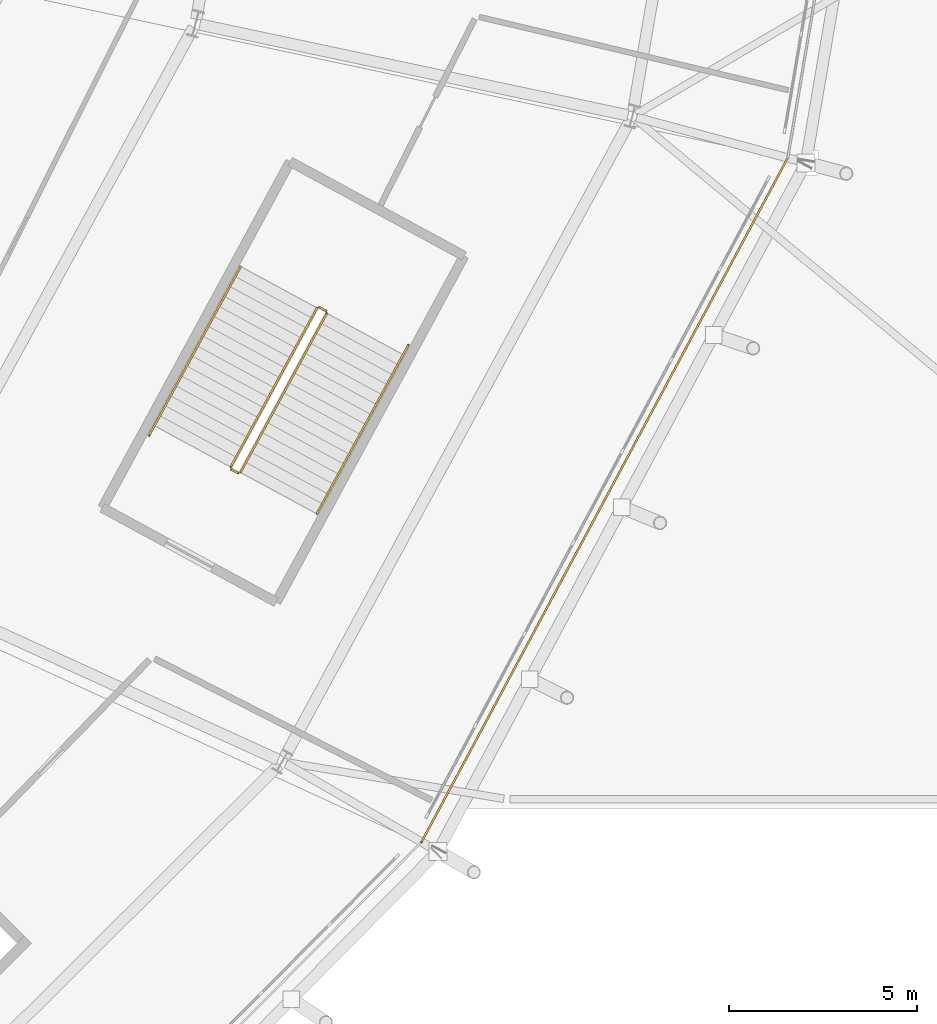
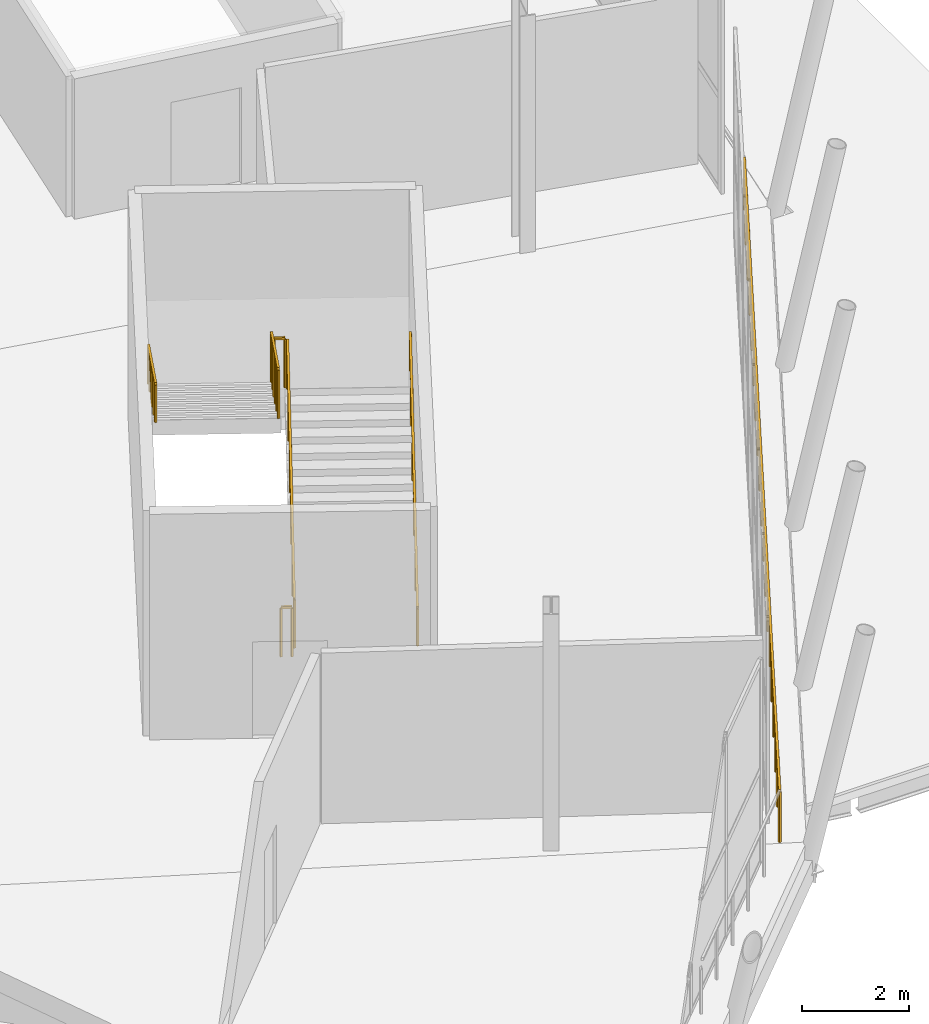
# One storey, part 119 of 126: 7 railings.
"""IFC4 building model written with IfcOpenShell, lengths in metres."""

from ifc_helpers import new_model, si_unit, direction, frame, origin, origin_2d, place, context, subcontext, project, spatial, rectangle, extrude, material, type_object, element, save


model = new_model("IFC4")

# Units and contexts
model_context = context("Model", 3, precision=1e-05, world=origin(), true_north=direction((0.0, 1.0)))
body_context = subcontext(model_context, "Body", "Model", "MODEL_VIEW")
ifc_project = project(units=[si_unit("LENGTHUNIT", "METRE"), si_unit("AREAUNIT", "SQUARE_METRE"), si_unit("VOLUMEUNIT", "CUBIC_METRE"), si_unit("PLANEANGLEUNIT", "RADIAN"), si_unit("MASSUNIT", "GRAM", prefix="KILO")], contexts=[model_context])

# Site, building, storey
site_placement = place(None, origin())
site = spatial("IfcSite", under=ifc_project, at=site_placement, CompositionType="ELEMENT")
building_placement = place(site_placement, origin())
building = spatial("IfcBuilding", under=site, at=building_placement, Name="Zlatoyarsky Gate Stadium", CompositionType="ELEMENT")
storey_placement = place(building_placement, frame((0.0, 0.0, 20.800048828125)))
storey = spatial("IfcBuildingStorey", under=building, at=storey_placement, Name="L04", CompositionType="ELEMENT", Elevation=20.800048828125)

# Railings
ifc_material_1 = material(Name="Powder-coated steel tubular guardrail", Category="steel")
railing_type_1 = type_object("IfcRailingType", Name="CONCOURSE SLAB EDGE GUARDRAIL 1200", PredefinedType="GUARDRAIL", material=ifc_material_1)
railing_1_placement = place(storey_placement, frame((195.23779296875, 42.365234375, 0.0)))
element("IfcRailing", 1, at=railing_1_placement, inside=storey, type_object=railing_type_1, Name="L04 outer slab edge guardrail 22", PredefinedType="GUARDRAIL", context=body_context, shape_type="SweptSolid", body=[
    extrude(rectangle(XDim=0.048095703125, YDim=0.048095703125, at=origin_2d()), frame((0.0, 0.0, 1.17578125), z_axis=(0.471925587959, 0.881638383596, 0.0), x_axis=(-0.881638383596, 0.471925587959, 0.0)), (0.0, 0.0, 1.0), 20.5908203125),
    extrude(rectangle(XDim=0.0419921875, YDim=0.0419921875, at=origin_2d()), origin(), (0.0, 0.0, 1.0), 1.15185546875),
    extrude(rectangle(XDim=0.0419921875, YDim=0.0419921875, at=origin_2d()), frame((0.539794921875, 1.008544921875, 0.0)), (0.0, 0.0, 1.0), 1.15185546875),
    extrude(rectangle(XDim=0.0419921875, YDim=0.0419921875, at=origin_2d()), frame((1.07958984375, 2.01708984375, 0.0)), (0.0, 0.0, 1.0), 1.15185546875),
    extrude(rectangle(XDim=0.0419921875, YDim=0.0419921875, at=origin_2d()), frame((1.61962890625, 3.025634765625, 0.0)), (0.0, 0.0, 1.0), 1.15185546875),
    extrude(rectangle(XDim=0.0419921875, YDim=0.0419921875, at=origin_2d()), frame((2.159423828125, 4.0341796875, 0.0)), (0.0, 0.0, 1.0), 1.15185546875),
    extrude(rectangle(XDim=0.0419921875, YDim=0.0419921875, at=origin_2d()), frame((2.69921875, 5.042724609375, 0.0)), (0.0, 0.0, 1.0), 1.15185546875),
    extrude(rectangle(XDim=0.0419921875, YDim=0.0419921875, at=origin_2d()), frame((3.239013671875, 6.05126953125, 0.0)), (0.0, 0.0, 1.0), 1.15185546875),
    extrude(rectangle(XDim=0.0419921875, YDim=0.0419921875, at=origin_2d()), frame((3.779052734375, 7.059814453125, 0.0)), (0.0, 0.0, 1.0), 1.15185546875),
    extrude(rectangle(XDim=0.0419921875, YDim=0.0419921875, at=origin_2d()), frame((4.31884765625, 8.068359375, 0.0)), (0.0, 0.0, 1.0), 1.15185546875),
    extrude(rectangle(XDim=0.0419921875, YDim=0.0419921875, at=origin_2d()), frame((4.858642578125, 9.07666015625, 0.0)), (0.0, 0.0, 1.0), 1.15185546875),
    extrude(rectangle(XDim=0.0419921875, YDim=0.0419921875, at=origin_2d()), frame((5.3984375, 10.085205078125, 0.0)), (0.0, 0.0, 1.0), 1.15185546875),
    extrude(rectangle(XDim=0.0419921875, YDim=0.0419921875, at=origin_2d()), frame((5.938232421875, 11.09375, 0.0)), (0.0, 0.0, 1.0), 1.15185546875),
    extrude(rectangle(XDim=0.0419921875, YDim=0.0419921875, at=origin_2d()), frame((6.478271484375, 12.102294921875, 0.0)), (0.0, 0.0, 1.0), 1.15185546875),
    extrude(rectangle(XDim=0.0419921875, YDim=0.0419921875, at=origin_2d()), frame((7.01806640625, 13.11083984375, 0.0)), (0.0, 0.0, 1.0), 1.15185546875),
    extrude(rectangle(XDim=0.0419921875, YDim=0.0419921875, at=origin_2d()), frame((7.557861328125, 14.119384765625, 0.0)), (0.0, 0.0, 1.0), 1.15185546875),
    extrude(rectangle(XDim=0.0419921875, YDim=0.0419921875, at=origin_2d()), frame((8.09765625, 15.1279296875, 0.0)), (0.0, 0.0, 1.0), 1.15185546875),
    extrude(rectangle(XDim=0.0419921875, YDim=0.0419921875, at=origin_2d()), frame((8.6376953125, 16.136474609375, 0.0)), (0.0, 0.0, 1.0), 1.15185546875),
    extrude(rectangle(XDim=0.0419921875, YDim=0.0419921875, at=origin_2d()), frame((9.177490234375, 17.14501953125, 0.0)), (0.0, 0.0, 1.0), 1.15185546875),
    extrude(rectangle(XDim=0.0419921875, YDim=0.0419921875, at=origin_2d()), frame((9.71728515625, 18.153564453125, 0.0)), (0.0, 0.0, 1.0), 1.15185546875),
])
ifc_material_2 = material(Name="Powder-coated steel stair guardrail", Category="steel")
railing_type_2 = type_object("IfcRailingType", Name="PAINTED STEEL STAIR WELL GUARDRAIL 1150", PredefinedType="GUARDRAIL", material=ifc_material_2)
railing_2_placement = place(storey_placement, frame((190.437255859375, 52.175048828125, 0.15869140625)))
element("IfcRailing", 2, at=railing_2_placement, inside=storey, type_object=railing_type_2, Name="ST-12 L04 stair guard 1", PredefinedType="GUARDRAIL", context=body_context, shape_type="SweptSolid", body=[
    extrude(rectangle(XDim=0.048095703125, YDim=0.048095703125, at=origin_2d()), frame((0.0, 0.0, 1.1259765625), z_axis=(0.421466855594, 0.776809804983, 0.467901930448), x_axis=(-0.878962478599, 0.4768909322, 0.0)), (0.0, 0.0, 1.0), 5.43115234375),
    extrude(rectangle(XDim=0.0419921875, YDim=0.0419921875, at=origin_2d()), origin(), (0.0, 0.0, 1.0), 1.101806640625),
    extrude(rectangle(XDim=0.0419921875, YDim=0.0419921875, at=origin_2d()), frame((0.457763671875, 0.84375, 0.50830078125)), (0.0, 0.0, 1.0), 1.101806640625),
    extrude(rectangle(XDim=0.0419921875, YDim=0.0419921875, at=origin_2d()), frame((0.91552734375, 1.6875, 1.0166015625)), (0.0, 0.0, 1.0), 1.101806640625),
    extrude(rectangle(XDim=0.0419921875, YDim=0.0419921875, at=origin_2d()), frame((1.37353515625, 2.531494140625, 1.524658203125)), (0.0, 0.0, 1.0), 1.101806640625),
    extrude(rectangle(XDim=0.0419921875, YDim=0.0419921875, at=origin_2d()), frame((1.831298828125, 3.375244140625, 2.032958984375)), (0.0, 0.0, 1.0), 1.101806640625),
    extrude(rectangle(XDim=0.0419921875, YDim=0.0419921875, at=origin_2d()), frame((2.2890625, 4.218994140625, 2.541259765625)), (0.0, 0.0, 1.0), 1.101806640625),
])
railing_3_placement = place(storey_placement, frame((192.706298828125, 56.461669921875, 2.699951171875)))
element("IfcRailing", 3, at=railing_3_placement, inside=storey, type_object=railing_type_2, Name="ST-12 L04 stair guard 2", PredefinedType="GUARDRAIL", context=body_context, shape_type="SweptSolid", body=[
    extrude(rectangle(XDim=0.048095703125, YDim=0.048095703125, at=origin_2d()), frame((0.0, 0.0, 1.1259765625), z_axis=(-0.878780312785, 0.477226530971, 0.0), x_axis=(-0.477226530971, -0.878780312785, 0.0)), (0.0, 0.0, 1.0), 0.199951171875),
    extrude(rectangle(XDim=0.0419921875, YDim=0.0419921875, at=origin_2d()), origin(), (0.0, 0.0, 1.0), 1.101806640625),
    extrude(rectangle(XDim=0.0419921875, YDim=0.0419921875, at=origin_2d()), frame((-0.17578125, 0.095458984375, 0.0)), (0.0, 0.0, 1.0), 1.101806640625),
])
railing_4_placement = place(storey_placement, frame((192.462646484375, 56.537109375, 2.85888671875)))
element("IfcRailing", 4, at=railing_4_placement, inside=storey, type_object=railing_type_2, Name="ST-12 L04 stair guard 3", PredefinedType="GUARDRAIL", context=body_context, shape_type="SweptSolid", body=[
    extrude(rectangle(XDim=0.048095703125, YDim=0.048095703125, at=origin_2d()), frame((0.0, 0.0, 1.1259765625), z_axis=(-0.421475720149, -0.776826143334, 0.467866819039), x_axis=(0.878962478599, -0.4768909322, 0.0)), (0.0, 0.0, 1.0), 5.43115234375),
    extrude(rectangle(XDim=0.0419921875, YDim=0.0419921875, at=origin_2d()), origin(), (0.0, 0.0, 1.0), 1.101806640625),
    extrude(rectangle(XDim=0.0419921875, YDim=0.0419921875, at=origin_2d()), frame((-0.457763671875, -0.84375, 0.50830078125)), (0.0, 0.0, 1.0), 1.101806640625),
    extrude(rectangle(XDim=0.0419921875, YDim=0.0419921875, at=origin_2d()), frame((-0.91552734375, -1.6875, 1.016357421875)), (0.0, 0.0, 1.0), 1.101806640625),
    extrude(rectangle(XDim=0.0419921875, YDim=0.0419921875, at=origin_2d()), frame((-1.37353515625, -2.531494140625, 1.524658203125)), (0.0, 0.0, 1.0), 1.101806640625),
    extrude(rectangle(XDim=0.0419921875, YDim=0.0419921875, at=origin_2d()), frame((-1.831298828125, -3.375244140625, 2.03271484375)), (0.0, 0.0, 1.0), 1.101806640625),
    extrude(rectangle(XDim=0.0419921875, YDim=0.0419921875, at=origin_2d()), frame((-2.2890625, -4.218994140625, 2.541015625)), (0.0, 0.0, 1.0), 1.101806640625),
])
railing_5_placement = place(storey_placement, frame((190.36962890625, 52.15478515625, 0.0)))
element("IfcRailing", 5, at=railing_5_placement, inside=storey, type_object=railing_type_2, Name="ST-12 L04 stair guard 4", PredefinedType="GUARDRAIL", context=body_context, shape_type="SweptSolid", body=[
    extrude(rectangle(XDim=0.048095703125, YDim=0.048095703125, at=origin_2d()), frame((0.0, 0.0, 1.1259765625), z_axis=(-0.878780312785, 0.477226530971, 0.0), x_axis=(-0.477226530971, -0.878780312785, 0.0)), (0.0, 0.0, 1.0), 0.199951171875),
    extrude(rectangle(XDim=0.0419921875, YDim=0.0419921875, at=origin_2d()), origin(), (0.0, 0.0, 1.0), 1.101806640625),
    extrude(rectangle(XDim=0.0419921875, YDim=0.0419921875, at=origin_2d()), frame((-0.17578125, 0.095458984375, 0.0)), (0.0, 0.0, 1.0), 1.101806640625),
])
ifc_material_3 = material(Name="Brushed stainless steel 316 handrail", Category="steel")
railing_type_3 = type_object("IfcRailingType", Name="STAINLESS STEEL TUBULAR HANDRAIL 900", PredefinedType="HANDRAIL", material=ifc_material_3)
railing_6_placement = place(storey_placement, frame((192.458984375, 51.078125, 0.162841796875)))
element("IfcRailing", 6, at=railing_6_placement, inside=storey, type_object=railing_type_3, Name="ST-12 L04 stair handrail 1", PredefinedType="HANDRAIL", context=body_context, shape_type="SweptSolid", body=[
    extrude(rectangle(XDim=0.048095703125, YDim=0.048095703125, at=origin_2d()), frame((0.0, 0.0, 0.8759765625), z_axis=(0.421472414376, 0.776817406179, 0.467884303411), x_axis=(-0.878961798155, 0.476892186331, 0.0)), (0.0, 0.0, 1.0), 5.7705078125),
    extrude(rectangle(XDim=0.0419921875, YDim=0.0419921875, at=origin_2d()), origin(), (0.0, 0.0, 1.0), 0.851806640625),
    extrude(rectangle(XDim=0.0419921875, YDim=0.0419921875, at=origin_2d()), frame((0.486328125, 0.896484375, 0.5400390625)), (0.0, 0.0, 1.0), 0.851806640625),
    extrude(rectangle(XDim=0.0419921875, YDim=0.0419921875, at=origin_2d()), frame((0.972900390625, 1.79296875, 1.080078125)), (0.0, 0.0, 1.0), 0.851806640625),
    extrude(rectangle(XDim=0.0419921875, YDim=0.0419921875, at=origin_2d()), frame((1.459228515625, 2.689697265625, 1.619873046875)), (0.0, 0.0, 1.0), 0.851806640625),
    extrude(rectangle(XDim=0.0419921875, YDim=0.0419921875, at=origin_2d()), frame((1.94580078125, 3.586181640625, 2.159912109375)), (0.0, 0.0, 1.0), 0.851806640625),
    extrude(rectangle(XDim=0.0419921875, YDim=0.0419921875, at=origin_2d()), frame((2.43212890625, 4.482666015625, 2.699951171875)), (0.0, 0.0, 1.0), 0.851806640625),
])
railing_7_placement = place(storey_placement, frame((190.441162109375, 57.6337890625, 2.86279296875)))
element("IfcRailing", 7, at=railing_7_placement, inside=storey, type_object=railing_type_3, Name="ST-12 L04 stair handrail 2", PredefinedType="HANDRAIL", context=body_context, shape_type="SweptSolid", body=[
    extrude(rectangle(XDim=0.048095703125, YDim=0.048095703125, at=origin_2d()), frame((0.0, 0.0, 0.8759765625), z_axis=(-0.421472414376, -0.776817406179, 0.467884303411), x_axis=(0.878961798155, -0.476892186331, 0.0)), (0.0, 0.0, 1.0), 5.7705078125),
    extrude(rectangle(XDim=0.0419921875, YDim=0.0419921875, at=origin_2d()), origin(), (0.0, 0.0, 1.0), 0.851806640625),
    extrude(rectangle(XDim=0.0419921875, YDim=0.0419921875, at=origin_2d()), frame((-0.486328125, -0.896484375, 0.5400390625)), (0.0, 0.0, 1.0), 0.851806640625),
    extrude(rectangle(XDim=0.0419921875, YDim=0.0419921875, at=origin_2d()), frame((-0.972900390625, -1.79296875, 1.080078125)), (0.0, 0.0, 1.0), 0.851806640625),
    extrude(rectangle(XDim=0.0419921875, YDim=0.0419921875, at=origin_2d()), frame((-1.459228515625, -2.689697265625, 1.619873046875)), (0.0, 0.0, 1.0), 0.851806640625),
    extrude(rectangle(XDim=0.0419921875, YDim=0.0419921875, at=origin_2d()), frame((-1.94580078125, -3.586181640625, 2.159912109375)), (0.0, 0.0, 1.0), 0.851806640625),
    extrude(rectangle(XDim=0.0419921875, YDim=0.0419921875, at=origin_2d()), frame((-2.43212890625, -4.482666015625, 2.699951171875)), (0.0, 0.0, 1.0), 0.851806640625),
])

save(model, "model.ifc")
